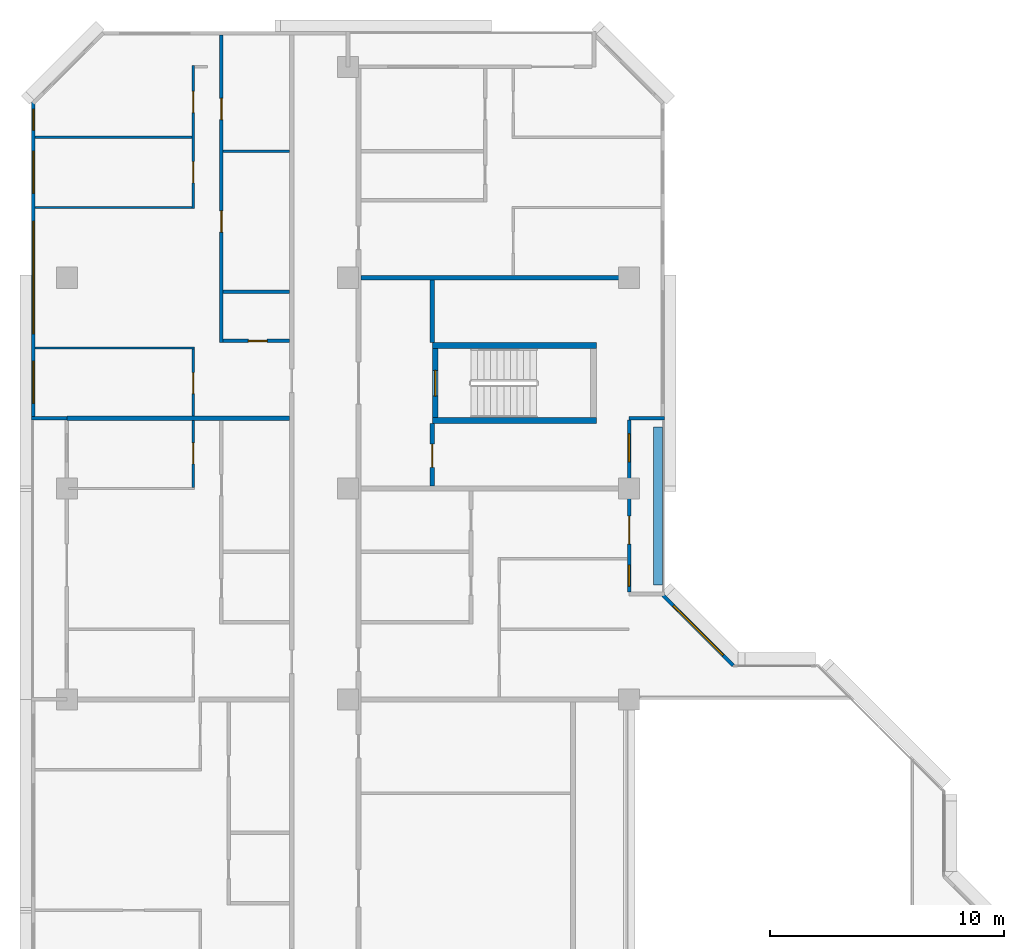
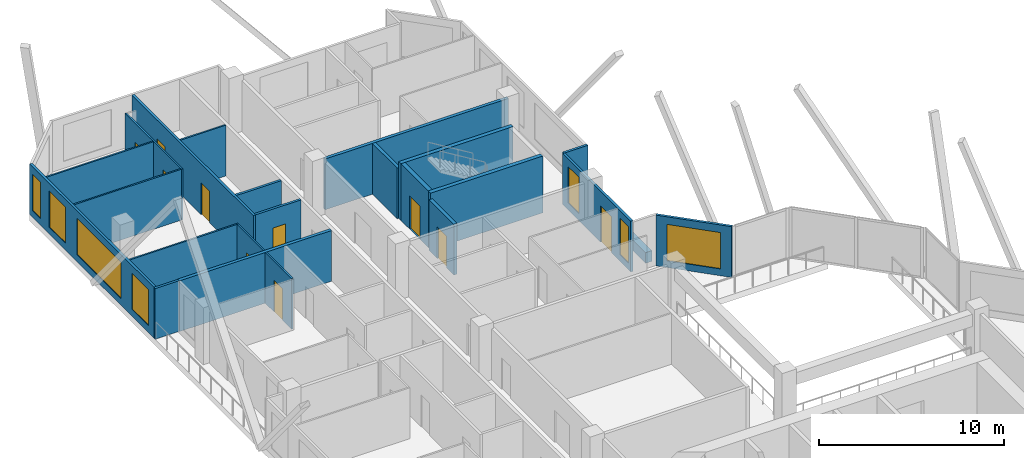
# One storey, part 10 of 15: 23 walls, 10 doors, 7 windows, 17 openings.
"""IFC4 building model written with IfcOpenShell, lengths in metres."""

from ifc_helpers import new_model, si_unit, direction, frame, frame_2d, origin, place, context, subcontext, project, spatial, rectangle, extrude, material, layer, layer_set, type_object, element, fill, save


model = new_model("IFC4")

# Units and contexts
model_context = context("Model", 3, precision=1e-05, world=origin(), true_north=direction((0.0, 1.0)))
body_context = subcontext(model_context, "Body", "Model", "MODEL_VIEW")
ifc_project = project(units=[si_unit("LENGTHUNIT", "METRE"), si_unit("AREAUNIT", "SQUARE_METRE"), si_unit("VOLUMEUNIT", "CUBIC_METRE"), si_unit("PLANEANGLEUNIT", "RADIAN"), si_unit("MASSUNIT", "GRAM", prefix="KILO")], contexts=[model_context])

# Site, building, storey
site_placement = place(None, origin())
site = spatial("IfcSite", under=ifc_project, at=site_placement, CompositionType="ELEMENT")
building_placement = place(site_placement, origin())
building = spatial("IfcBuilding", under=site, at=building_placement, Name="Chenar Terraces", CompositionType="ELEMENT")
storey_placement = place(building_placement, frame((0.0, 0.0, 194.89990234375)))
storey = spatial("IfcBuildingStorey", under=building, at=storey_placement, Name="L45", CompositionType="ELEMENT", Elevation=194.89990234375)

# Walls
ifc_material_1 = material(Name="Concrete C60/75", Category="concrete")
ifc_layer_1 = layer(ifc_material_1, 0.25)
ifc_layer_set_1 = layer_set([ifc_layer_1], Name="Concrete C60/75")
wall_type_1 = type_object("IfcWallType", Name="Core wall 250 Concrete C60/75", PredefinedType="SHEAR", material=ifc_layer_set_1)
for number, where, z_axis, x_axis, name in (
    (1, (15.60009765625, 47.89990234375, 0.0), (0.0, 0.0, 1.0), (1.0, 0.0, 0.0), "Core wall ST4_S L45"),
    (2, (15.60009765625, 51.10009765625, 0.0), (0.0, 0.0, 1.0), (1.0, 0.0, 0.0), "Core wall ST4_N L45"),
):
    element("IfcWall", number, at=place(storey_placement, frame(where, z_axis=z_axis, x_axis=x_axis)), inside=storey, type_object=wall_type_1, Name=name, PredefinedType="SHEAR", context=body_context, shape_type="SweptSolid", body=[
        extrude(rectangle(XDim=7.0, YDim=0.25, at=frame_2d((3.5, 0.0))), origin(), (0.0, 0.0, 1.0), 3.75),
    ])

# Wall, opening, door
wall_1_placement = place(storey_placement, frame((15.72509765625, 48.02490234375, 0.0), z_axis=(0.0, 0.0, 1.0), x_axis=(0.0, 1.0, 0.0)))
wall_1 = element("IfcWall", 3, at=wall_1_placement, inside=storey, type_object=wall_type_1, Name="Core wall ST4_W L45", PredefinedType="SHEAR", context=body_context, shape_type="SweptSolid", body=[
    extrude(rectangle(XDim=2.9501953125, YDim=0.25, at=frame_2d((1.47509765625, 0.0))), origin(), (0.0, 0.0, 1.0), 3.75),
])
opening_1_placement = place(wall_1_placement, frame((0.925048828125, 0.0, 0.0)))
opening_1 = element("IfcOpeningElement", 4, at=opening_1_placement, cuts=wall_1, Name="Opening DL45-C9", PredefinedType="OPENING", context=body_context, shape_type="SweptSolid", body=[
    extrude(rectangle(XDim=1.10009765625, YDim=2.199951171875, at=frame_2d((0.550048828125, 1.10009765625))), frame((0.0, 0.135009765625, 0.0), z_axis=(0.0, -1.0, 0.0), x_axis=(1.0, 0.0, 0.0)), (0.0, 0.0, 1.0), 0.27001953125),
])
ifc_material_2 = material(Name="Steel-framed fire-resisting door leaf", Category="steel")
door_type_1 = type_object("IfcDoorType", Name="Stair fire door FD60 1100 x 2200", OperationType="SINGLE_SWING_LEFT", PredefinedType="DOOR", material=ifc_material_2)
door_1_placement = place(opening_1_placement, frame((1.10009765625, 0.0, 0.0), z_axis=(0.0, 0.0, 1.0), x_axis=(-1.0, 0.0, 0.0)))
door_1 = element("IfcDoor", 5, at=door_1_placement, inside=storey, type_object=door_type_1, Name="Stair door DL45-C9", OperationType="SINGLE_SWING_RIGHT", OverallHeight=2.199951171875, OverallWidth=1.10009765625, PredefinedType="DOOR", context=body_context, shape_type="SweptSolid", body=[
    extrude(rectangle(XDim=1.10009765625, YDim=2.199951171875, at=frame_2d((0.550048828125, 1.10009765625))), frame((0.0, 0.02490234375, 0.0), z_axis=(0.0, -1.0, 0.0), x_axis=(1.0, 0.0, 0.0)), (0.0, 0.0, 1.0), 0.050048828125),
])
fill(opening_1, door_1)

ifc_material_3 = material(Name="Gypsum board on steel studs with fire boards", Category="steel")
ifc_layer_2 = layer(ifc_material_3, 0.199951171875)
ifc_layer_set_2 = layer_set([ifc_layer_2], Name="Gypsum board on steel studs with fire boards")
wall_type_2 = type_object("IfcWallType", Name="Corridor wall 200", PredefinedType="PARTITIONING", material=ifc_layer_set_2)
wall_2_placement = place(storey_placement, frame((15.60009765625, 45.10009765625, 0.0), z_axis=(0.0, 0.0, 1.0), x_axis=(0.0, 1.0, 0.0)))
wall_2 = element("IfcWall", 6, at=wall_2_placement, inside=storey, type_object=wall_type_2, Name="Partition L45-047", PredefinedType="PARTITIONING", context=body_context, shape_type="SweptSolid", body=[
    extrude(rectangle(XDim=2.6748046875, YDim=0.199951171875, at=frame_2d((1.33740234375, 0.0))), origin(), (0.0, 0.0, 1.0), 3.35009765625),
])
opening_2_placement = place(wall_2_placement, frame((0.800048828125, 0.0, 0.0)))
opening_2 = element("IfcOpeningElement", 7, at=opening_2_placement, cuts=wall_2, Name="Opening DL45-42", PredefinedType="OPENING", context=body_context, shape_type="SweptSolid", body=[
    extrude(rectangle(XDim=1.0, YDim=2.10009765625, at=frame_2d((0.5, 1.050048828125))), frame((0.0, 0.10986328125, 0.0), z_axis=(0.0, -1.0, 0.0), x_axis=(1.0, 0.0, 0.0)), (0.0, 0.0, 1.0), 0.219970703125),
])
ifc_material_4 = material(Name="Steel-framed fire-resisting door leaf", Category="steel")
door_type_2 = type_object("IfcDoorType", Name="Fire door FD60 1000 x 2100", OperationType="SINGLE_SWING_LEFT", PredefinedType="DOOR", material=ifc_material_4)
door_2_placement = place(opening_2_placement, frame((1.0, 0.0, 0.0), z_axis=(0.0, 0.0, 1.0), x_axis=(-1.0, 0.0, 0.0)))
door_2 = element("IfcDoor", 8, at=door_2_placement, inside=storey, type_object=door_type_2, Name="Door DL45-42", OperationType="SINGLE_SWING_RIGHT", OverallHeight=2.10009765625, OverallWidth=1.0, PredefinedType="DOOR", context=body_context, shape_type="SweptSolid", body=[
    extrude(rectangle(XDim=1.0, YDim=2.10009765625, at=frame_2d((0.5, 1.050048828125))), frame((0.0, 0.02490234375, 0.0), z_axis=(0.0, -1.0, 0.0), x_axis=(1.0, 0.0, 0.0)), (0.0, 0.0, 1.0), 0.050048828125),
])
fill(opening_2, door_2)

# Wall
wall_3_placement = place(storey_placement, frame((15.60009765625, 51.22509765625, 0.0), z_axis=(0.0, 0.0, 1.0), x_axis=(0.0, 1.0, 0.0)))
element("IfcWall", 9, at=wall_3_placement, inside=storey, type_object=wall_type_2, Name="Partition L45-048", PredefinedType="PARTITIONING", context=body_context, shape_type="SweptSolid", body=[
    extrude(rectangle(XDim=2.6748046875, YDim=0.199951171875, at=frame_2d((1.33740234375, 0.0))), origin(), (0.0, 0.0, 1.0), 3.35009765625),
])

# Wall, openings, windows
ifc_material_5 = material(Name="Aluminium framed glazing", Category="aluminium")
ifc_layer_3 = layer(ifc_material_5, 0.14990234375)
ifc_layer_set_3 = layer_set([ifc_layer_3], Name="Aluminium framed glazing")
wall_type_3 = type_object("IfcWallType", Name="Glazed flush facade wall 150", PredefinedType="SOLIDWALL", material=ifc_layer_set_3)
wall_4_placement = place(storey_placement, frame((-1.425048828125, 61.5, 0.0), z_axis=(0.0, 0.0, 1.0), x_axis=(0.0, -1.0, 0.0)))
wall_4 = element("IfcWall", 10, at=wall_4_placement, inside=storey, type_object=wall_type_3, Name="Glazed flush facade wall", PredefinedType="SOLIDWALL", context=body_context, shape_type="SweptSolid", body=[
    extrude(rectangle(XDim=13.425048828125, YDim=0.14990234375, at=frame_2d((6.71240234375, 0.0))), origin(), (0.0, 0.0, 1.0), 3.35009765625),
])
opening_3_placement = place(wall_4_placement, frame((0.300048828125, 0.0, 0.449951171875)))
opening_3 = element("IfcOpeningElement", 11, at=opening_3_placement, cuts=wall_4, Name="Opening W90x240", PredefinedType="OPENING", context=body_context, shape_type="SweptSolid", body=[
    extrude(rectangle(XDim=0.89990234375, YDim=2.39990234375, at=frame_2d((0.449951171875, 1.199951171875))), frame((0.0, 0.0849609375, 0.0), z_axis=(0.0, -1.0, 0.0), x_axis=(1.0, 0.0, 0.0)), (0.0, 0.0, 1.0), 0.169921875),
])
opening_4_placement = place(wall_4_placement, frame((2.10009765625, 0.0, 0.449951171875)))
opening_4 = element("IfcOpeningElement", 12, at=opening_4_placement, cuts=wall_4, Name="Opening W180x240", PredefinedType="OPENING", context=body_context, shape_type="SweptSolid", body=[
    extrude(rectangle(XDim=1.800048828125, YDim=2.39990234375, at=frame_2d((0.89990234375, 1.199951171875))), frame((0.0, 0.0849609375, 0.0), z_axis=(0.0, -1.0, 0.0), x_axis=(1.0, 0.0, 0.0)), (0.0, 0.0, 1.0), 0.169921875),
])
opening_5_placement = place(wall_4_placement, frame((5.10009765625, 0.0, 0.449951171875)))
opening_5 = element("IfcOpeningElement", 13, at=opening_5_placement, cuts=wall_4, Name="Opening W480x240", PredefinedType="OPENING", context=body_context, shape_type="SweptSolid", body=[
    extrude(rectangle(XDim=4.800048828125, YDim=2.39990234375, at=frame_2d((2.39990234375, 1.199951171875))), frame((0.0, 0.0849609375, 0.0), z_axis=(0.0, -1.0, 0.0), x_axis=(1.0, 0.0, 0.0)), (0.0, 0.0, 1.0), 0.169921875),
])
opening_6_placement = place(wall_4_placement, frame((11.0625, 0.0, 0.449951171875)))
opening_6 = element("IfcOpeningElement", 14, at=opening_6_placement, cuts=wall_4, Name="Opening W180x240", PredefinedType="OPENING", context=body_context, shape_type="SweptSolid", body=[
    extrude(rectangle(XDim=1.800048828125, YDim=2.39990234375, at=frame_2d((0.89990234375, 1.199951171875))), frame((0.0, 0.0849609375, 0.0), z_axis=(0.0, -1.0, 0.0), x_axis=(1.0, 0.0, 0.0)), (0.0, 0.0, 1.0), 0.169921875),
])
ifc_material_6 = material(Name="Low emissivity double glazing, aluminium frame", Category="aluminium")
window_type_1 = type_object("IfcWindowType", Name="Fixed light 1800 x 2400", PartitioningType="SINGLE_PANEL", PredefinedType="WINDOW", material=ifc_material_6)
window_1_placement = place(opening_4_placement, origin())
window_1 = element("IfcWindow", 15, at=window_1_placement, inside=storey, type_object=window_type_1, Name="Window", OverallHeight=2.39990234375, OverallWidth=1.800048828125, PartitioningType="SINGLE_PANEL", PredefinedType="WINDOW", context=body_context, shape_type="SweptSolid", body=[
    extrude(rectangle(XDim=1.800048828125, YDim=2.39990234375, at=frame_2d((0.89990234375, 1.199951171875))), frame((0.0, 0.030029296875, 0.0), z_axis=(0.0, -1.0, 0.0), x_axis=(1.0, 0.0, 0.0)), (0.0, 0.0, 1.0), 0.06005859375),
])
fill(opening_4, window_1)
window_2_placement = place(opening_6_placement, origin())
window_2 = element("IfcWindow", 16, at=window_2_placement, inside=storey, type_object=window_type_1, Name="Window", OverallHeight=2.39990234375, OverallWidth=1.800048828125, PartitioningType="SINGLE_PANEL", PredefinedType="WINDOW", context=body_context, shape_type="SweptSolid", body=[
    extrude(rectangle(XDim=1.800048828125, YDim=2.39990234375, at=frame_2d((0.89990234375, 1.199951171875))), frame((0.0, 0.030029296875, 0.0), z_axis=(0.0, -1.0, 0.0), x_axis=(1.0, 0.0, 0.0)), (0.0, 0.0, 1.0), 0.06005859375),
])
fill(opening_6, window_2)
ifc_material_7 = material(Name="Low emissivity double glazing, aluminium frame", Category="aluminium")
window_type_2 = type_object("IfcWindowType", Name="Fixed light 4800 x 2400", PartitioningType="SINGLE_PANEL", PredefinedType="WINDOW", material=ifc_material_7)
window_3_placement = place(opening_5_placement, origin())
window_3 = element("IfcWindow", 17, at=window_3_placement, inside=storey, type_object=window_type_2, Name="Window", OverallHeight=2.39990234375, OverallWidth=4.800048828125, PartitioningType="SINGLE_PANEL", PredefinedType="WINDOW", context=body_context, shape_type="SweptSolid", body=[
    extrude(rectangle(XDim=4.800048828125, YDim=2.39990234375, at=frame_2d((2.39990234375, 1.199951171875))), frame((0.0, 0.030029296875, 0.0), z_axis=(0.0, -1.0, 0.0), x_axis=(1.0, 0.0, 0.0)), (0.0, 0.0, 1.0), 0.06005859375),
])
fill(opening_5, window_3)
ifc_material_8 = material(Name="Low emissivity double glazing, aluminium frame", Category="aluminium")
window_type_3 = type_object("IfcWindowType", Name="Fixed light 900 x 2400", PartitioningType="SINGLE_PANEL", PredefinedType="WINDOW", material=ifc_material_8)
window_4_placement = place(opening_3_placement, origin())
window_4 = element("IfcWindow", 18, at=window_4_placement, inside=storey, type_object=window_type_3, Name="Window", OverallHeight=2.39990234375, OverallWidth=0.89990234375, PartitioningType="SINGLE_PANEL", PredefinedType="WINDOW", context=body_context, shape_type="SweptSolid", body=[
    extrude(rectangle(XDim=0.89990234375, YDim=2.39990234375, at=frame_2d((0.449951171875, 1.199951171875))), frame((0.0, 0.030029296875, 0.0), z_axis=(0.0, -1.0, 0.0), x_axis=(1.0, 0.0, 0.0)), (0.0, 0.0, 1.0), 0.06005859375),
])
fill(opening_3, window_4)

# Wall, openings, windows, door
ifc_material_9 = material(Name="Aluminium framed glazing", Category="aluminium")
ifc_layer_4 = layer(ifc_material_9, 0.14990234375)
ifc_layer_set_4 = layer_set([ifc_layer_4], Name="Aluminium framed glazing")
wall_type_4 = type_object("IfcWallType", Name="Glazed loggia back wall 150", PredefinedType="SOLIDWALL", material=ifc_layer_set_4)
wall_5_placement = place(storey_placement, frame((24.0, 40.574951171875, 0.0), z_axis=(0.0, 0.0, 1.0), x_axis=(0.0, 1.0, 0.0)))
wall_5 = element("IfcWall", 19, at=wall_5_placement, inside=storey, type_object=wall_type_4, Name="Glazed loggia back wall", PredefinedType="SOLIDWALL", context=body_context, shape_type="SweptSolid", body=[
    extrude(rectangle(XDim=7.35009765625, YDim=0.14990234375, at=frame_2d((3.675048828125, 0.0))), origin(), (0.0, 0.0, 1.0), 3.35009765625),
])
opening_7_placement = place(wall_5_placement, frame((0.262451171875, 0.0, 0.449951171875)))
opening_7 = element("IfcOpeningElement", 20, at=opening_7_placement, cuts=wall_5, Name="Opening W90x240", PredefinedType="OPENING", context=body_context, shape_type="SweptSolid", body=[
    extrude(rectangle(XDim=0.89990234375, YDim=2.39990234375, at=frame_2d((0.449951171875, 1.199951171875))), frame((0.0, 0.0849609375, 0.0), z_axis=(0.0, -1.0, 0.0), x_axis=(1.0, 0.0, 0.0)), (0.0, 0.0, 1.0), 0.169921875),
])
opening_8_placement = place(wall_5_placement, frame((2.050048828125, 0.0, 0.0)))
opening_8 = element("IfcOpeningElement", 21, at=opening_8_placement, cuts=wall_5, Name="Opening DL45-G1", PredefinedType="OPENING", context=body_context, shape_type="SweptSolid", body=[
    extrude(rectangle(XDim=1.199951171875, YDim=2.39990234375, at=frame_2d((0.60009765625, 1.199951171875))), frame((0.0, 0.0849609375, 0.0), z_axis=(0.0, -1.0, 0.0), x_axis=(1.0, 0.0, 0.0)), (0.0, 0.0, 1.0), 0.169921875),
])
opening_9_placement = place(wall_5_placement, frame((5.5625, 0.0, 0.449951171875)))
opening_9 = element("IfcOpeningElement", 22, at=opening_9_placement, cuts=wall_5, Name="Opening W120x240", PredefinedType="OPENING", context=body_context, shape_type="SweptSolid", body=[
    extrude(rectangle(XDim=1.199951171875, YDim=2.39990234375, at=frame_2d((0.60009765625, 1.199951171875))), frame((0.0, 0.0849609375, 0.0), z_axis=(0.0, -1.0, 0.0), x_axis=(1.0, 0.0, 0.0)), (0.0, 0.0, 1.0), 0.169921875),
])
ifc_material_10 = material(Name="Low emissivity double glazing, aluminium frame", Category="aluminium")
window_type_4 = type_object("IfcWindowType", Name="Fixed light 1200 x 2400", PartitioningType="SINGLE_PANEL", PredefinedType="WINDOW", material=ifc_material_10)
window_5_placement = place(opening_9_placement, origin())
window_5 = element("IfcWindow", 23, at=window_5_placement, inside=storey, type_object=window_type_4, Name="Window", OverallHeight=2.39990234375, OverallWidth=1.199951171875, PartitioningType="SINGLE_PANEL", PredefinedType="WINDOW", context=body_context, shape_type="SweptSolid", body=[
    extrude(rectangle(XDim=1.199951171875, YDim=2.39990234375, at=frame_2d((0.60009765625, 1.199951171875))), frame((0.0, 0.030029296875, 0.0), z_axis=(0.0, -1.0, 0.0), x_axis=(1.0, 0.0, 0.0)), (0.0, 0.0, 1.0), 0.06005859375),
])
fill(opening_9, window_5)
window_6_placement = place(opening_7_placement, origin())
window_6 = element("IfcWindow", 24, at=window_6_placement, inside=storey, type_object=window_type_3, Name="Window", OverallHeight=2.39990234375, OverallWidth=0.89990234375, PartitioningType="SINGLE_PANEL", PredefinedType="WINDOW", context=body_context, shape_type="SweptSolid", body=[
    extrude(rectangle(XDim=0.89990234375, YDim=2.39990234375, at=frame_2d((0.449951171875, 1.199951171875))), frame((0.0, 0.030029296875, 0.0), z_axis=(0.0, -1.0, 0.0), x_axis=(1.0, 0.0, 0.0)), (0.0, 0.0, 1.0), 0.06005859375),
])
fill(opening_7, window_6)
ifc_material_11 = material(Name="Low emissivity double glazing, aluminium frame", Category="aluminium")
door_type_3 = type_object("IfcDoorType", Name="Loggia glazed double door 1200 x 2400", OperationType="DOUBLE_DOOR_SINGLE_SWING", PredefinedType="DOOR", material=ifc_material_11)
door_3_placement = place(opening_8_placement, frame((1.199951171875, 0.0, 0.0), z_axis=(0.0, 0.0, 1.0), x_axis=(-1.0, 0.0, 0.0)))
door_3 = element("IfcDoor", 25, at=door_3_placement, inside=storey, type_object=door_type_3, Name="Loggia glazed door", OperationType="DOUBLE_DOOR_SINGLE_SWING", OverallHeight=2.39990234375, OverallWidth=1.199951171875, PredefinedType="DOOR", context=body_context, shape_type="SweptSolid", body=[
    extrude(rectangle(XDim=1.199951171875, YDim=2.39990234375, at=frame_2d((0.60009765625, 1.199951171875))), frame((0.0, 0.02490234375, 0.0), z_axis=(0.0, -1.0, 0.0), x_axis=(1.0, 0.0, 0.0)), (0.0, 0.0, 1.0), 0.050048828125),
])
fill(opening_8, door_3)

# Walls
ifc_material_12 = material(Name="Gypsum board on steel studs", Category="steel")
ifc_layer_5 = layer(ifc_material_12, 0.10009765625)
ifc_layer_set_5 = layer_set([ifc_layer_5], Name="Gypsum board on steel studs")
wall_type_5 = type_object("IfcWallType", Name="Gypsum partition 100", PredefinedType="PARTITIONING", material=ifc_layer_set_5)
wall_6_placement = place(storey_placement, frame((-1.35107421875, 60.0, 0.0), z_axis=(0.0, 0.0, 1.0), x_axis=(1.0, 0.0, 0.0)))
element("IfcWall", 26, at=wall_6_placement, inside=storey, type_object=wall_type_5, Name="Partition L45-001", PredefinedType="PARTITIONING", context=body_context, shape_type="SweptSolid", body=[
    extrude(rectangle(XDim=6.701171875, YDim=0.10009765625, at=frame_2d((3.3505859375, 0.0))), origin(), (0.0, 0.0, 1.0), 3.35009765625),
])
wall_7_placement = place(storey_placement, frame((-1.35009765625, 51.0, 0.0), z_axis=(0.0, 0.0, 1.0), x_axis=(1.0, 0.0, 0.0)))
element("IfcWall", 27, at=wall_7_placement, inside=storey, type_object=wall_type_5, Name="Partition L45-006", PredefinedType="PARTITIONING", context=body_context, shape_type="SweptSolid", body=[
    extrude(rectangle(XDim=6.800048828125, YDim=0.10009765625, at=frame_2d((3.39990234375, 0.0))), origin(), (0.0, 0.0, 1.0), 3.35009765625),
])
wall_8_placement = place(storey_placement, frame((-1.35009765625, 57.0, 0.0), z_axis=(0.0, 0.0, 1.0), x_axis=(1.0, 0.0, 0.0)))
element("IfcWall", 28, at=wall_8_placement, inside=storey, type_object=wall_type_5, Name="Partition L45-007", PredefinedType="PARTITIONING", context=body_context, shape_type="SweptSolid", body=[
    extrude(rectangle(XDim=6.7001953125, YDim=0.10009765625, at=frame_2d((3.35009765625, 0.0))), origin(), (0.0, 0.0, 1.0), 3.35009765625),
])

# Wall, opening, door
wall_9_placement = place(storey_placement, frame((5.39990234375, 45.050048828125, 0.0), z_axis=(0.0, 0.0, 1.0), x_axis=(0.0, 1.0, 0.0)))
wall_9 = element("IfcWall", 29, at=wall_9_placement, inside=storey, type_object=wall_type_5, Name="Partition L45-014", PredefinedType="PARTITIONING", context=body_context, shape_type="SweptSolid", body=[
    extrude(rectangle(XDim=2.849853515625, YDim=0.10009765625, at=frame_2d((1.4248046875, 0.0))), origin(), (0.0, 0.0, 1.0), 3.35009765625),
])
opening_10_placement = place(wall_9_placement, frame((1.0, 0.0, 0.0)))
opening_10 = element("IfcOpeningElement", 30, at=opening_10_placement, cuts=wall_9, Name="Opening DL45-27", PredefinedType="OPENING", context=body_context, shape_type="SweptSolid", body=[
    extrude(rectangle(XDim=0.89990234375, YDim=2.10009765625, at=frame_2d((0.449951171875, 1.050048828125))), frame((0.0, 0.06005859375, 0.0), z_axis=(0.0, -1.0, 0.0), x_axis=(1.0, 0.0, 0.0)), (0.0, 0.0, 1.0), 0.1201171875),
])
ifc_material_13 = material(Name="Veneered timber door leaf", Category="wood")
door_type_4 = type_object("IfcDoorType", Name="Door 900 x 2100", OperationType="SINGLE_SWING_LEFT", PredefinedType="DOOR", material=ifc_material_13)
door_4_placement = place(opening_10_placement, origin())
door_4 = element("IfcDoor", 31, at=door_4_placement, inside=storey, type_object=door_type_4, Name="Door DL45-27", OperationType="SINGLE_SWING_RIGHT", OverallHeight=2.10009765625, OverallWidth=0.89990234375, PredefinedType="DOOR", context=body_context, shape_type="SweptSolid", body=[
    extrude(rectangle(XDim=0.89990234375, YDim=2.10009765625, at=frame_2d((0.449951171875, 1.050048828125))), frame((0.0, 0.02490234375, 0.0), z_axis=(0.0, -1.0, 0.0), x_axis=(1.0, 0.0, 0.0)), (0.0, 0.0, 1.0), 0.050048828125),
])
fill(opening_10, door_4)

wall_10_placement = place(storey_placement, frame((5.39990234375, 48.10009765625, 0.0), z_axis=(0.0, 0.0, 1.0), x_axis=(0.0, 1.0, 0.0)))
wall_10 = element("IfcWall", 32, at=wall_10_placement, inside=storey, type_object=wall_type_5, Name="Partition L45-015", PredefinedType="PARTITIONING", context=body_context, shape_type="SweptSolid", body=[
    extrude(rectangle(XDim=2.849853515625, YDim=0.10009765625, at=frame_2d((1.4248046875, 0.0))), origin(), (0.0, 0.0, 1.0), 3.35009765625),
])
opening_11_placement = place(wall_10_placement, frame((0.949951171875, 0.0, 0.0)))
opening_11 = element("IfcOpeningElement", 33, at=opening_11_placement, cuts=wall_10, Name="Opening DL45-31", PredefinedType="OPENING", context=body_context, shape_type="SweptSolid", body=[
    extrude(rectangle(XDim=0.89990234375, YDim=2.10009765625, at=frame_2d((0.449951171875, 1.050048828125))), frame((0.0, 0.06005859375, 0.0), z_axis=(0.0, -1.0, 0.0), x_axis=(1.0, 0.0, 0.0)), (0.0, 0.0, 1.0), 0.1201171875),
])
door_5_placement = place(opening_11_placement, origin())
door_5 = element("IfcDoor", 34, at=door_5_placement, inside=storey, type_object=door_type_4, Name="Door DL45-31", OperationType="SINGLE_SWING_RIGHT", OverallHeight=2.10009765625, OverallWidth=0.89990234375, PredefinedType="DOOR", context=body_context, shape_type="SweptSolid", body=[
    extrude(rectangle(XDim=0.89990234375, YDim=2.10009765625, at=frame_2d((0.449951171875, 1.050048828125))), frame((0.0, 0.02490234375, 0.0), z_axis=(0.0, -1.0, 0.0), x_axis=(1.0, 0.0, 0.0)), (0.0, 0.0, 1.0), 0.050048828125),
])
fill(opening_11, door_5)

# Wall, openings, doors
wall_11_placement = place(storey_placement, frame((5.39990234375, 56.949951171875, 0.0), z_axis=(0.0, 0.0, 1.0), x_axis=(0.0, 1.0, 0.0)))
wall_11 = element("IfcWall", 35, at=wall_11_placement, inside=storey, type_object=wall_type_5, Name="Partition L45-016", PredefinedType="PARTITIONING", context=body_context, shape_type="SweptSolid", body=[
    extrude(rectangle(XDim=6.10009765625, YDim=0.10009765625, at=frame_2d((3.050048828125, 0.0))), origin(), (0.0, 0.0, 1.0), 3.35009765625),
])
opening_12_placement = place(wall_11_placement, frame((1.10009765625, 0.0, 0.0)))
opening_12 = element("IfcOpeningElement", 36, at=opening_12_placement, cuts=wall_11, Name="Opening DL45-32", PredefinedType="OPENING", context=body_context, shape_type="SweptSolid", body=[
    extrude(rectangle(XDim=0.89990234375, YDim=2.10009765625, at=frame_2d((0.449951171875, 1.050048828125))), frame((0.0, 0.06005859375, 0.0), z_axis=(0.0, -1.0, 0.0), x_axis=(1.0, 0.0, 0.0)), (0.0, 0.0, 1.0), 0.1201171875),
])
opening_13_placement = place(wall_11_placement, frame((4.10009765625, 0.0, 0.0)))
opening_13 = element("IfcOpeningElement", 37, at=opening_13_placement, cuts=wall_11, Name="Opening DL45-33", PredefinedType="OPENING", context=body_context, shape_type="SweptSolid", body=[
    extrude(rectangle(XDim=0.89990234375, YDim=2.10009765625, at=frame_2d((0.449951171875, 1.050048828125))), frame((0.0, 0.06005859375, 0.0), z_axis=(0.0, -1.0, 0.0), x_axis=(1.0, 0.0, 0.0)), (0.0, 0.0, 1.0), 0.1201171875),
])
door_6_placement = place(opening_12_placement, origin())
door_6 = element("IfcDoor", 38, at=door_6_placement, inside=storey, type_object=door_type_4, Name="Door DL45-32", OperationType="SINGLE_SWING_LEFT", OverallHeight=2.10009765625, OverallWidth=0.89990234375, PredefinedType="DOOR", context=body_context, shape_type="SweptSolid", body=[
    extrude(rectangle(XDim=0.89990234375, YDim=2.10009765625, at=frame_2d((0.449951171875, 1.050048828125))), frame((0.0, 0.02490234375, 0.0), z_axis=(0.0, -1.0, 0.0), x_axis=(1.0, 0.0, 0.0)), (0.0, 0.0, 1.0), 0.050048828125),
])
fill(opening_12, door_6)
door_7_placement = place(opening_13_placement, origin())
door_7 = element("IfcDoor", 39, at=door_7_placement, inside=storey, type_object=door_type_4, Name="Door DL45-33", OperationType="SINGLE_SWING_LEFT", OverallHeight=2.10009765625, OverallWidth=0.89990234375, PredefinedType="DOOR", context=body_context, shape_type="SweptSolid", body=[
    extrude(rectangle(XDim=0.89990234375, YDim=2.10009765625, at=frame_2d((0.449951171875, 1.050048828125))), frame((0.0, 0.02490234375, 0.0), z_axis=(0.0, -1.0, 0.0), x_axis=(1.0, 0.0, 0.0)), (0.0, 0.0, 1.0), 0.050048828125),
])
fill(opening_13, door_7)

# Walls
wall_12_placement = place(storey_placement, frame((6.675048828125, 59.39990234375, 0.0), z_axis=(0.0, 0.0, 1.0), x_axis=(1.0, 0.0, 0.0)))
element("IfcWall", 40, at=wall_12_placement, inside=storey, type_object=wall_type_5, Name="Partition L45-027", PredefinedType="PARTITIONING", context=body_context, shape_type="SweptSolid", body=[
    extrude(rectangle(XDim=2.824951171875, YDim=0.10009765625, at=frame_2d((1.41259765625, 0.0))), origin(), (0.0, 0.0, 1.0), 3.35009765625),
])
ifc_material_14 = material(Name="Terracotta cladding on insulated backing", Category="masonry")
ifc_layer_6 = layer(ifc_material_14, 0.14990234375)
ifc_layer_set_6 = layer_set([ifc_layer_6], Name="Terracotta cladding on insulated backing")
wall_type_6 = type_object("IfcWallType", Name="Loggia return wall 150", PredefinedType="SOLIDWALL", material=ifc_layer_set_6)
for number, where, z_axis, x_axis, name in (
    (41, (25.5, 48.0, 0.0), (0.0, 0.0, 1.0), (-1.0, 0.0, 0.0), "Loggia return wall"),
    (42, (-1.5, 48.0, 0.0), (0.0, 0.0, 1.0), (1.0, 0.0, 0.0), "Loggia return wall"),
):
    element("IfcWall", number, at=place(storey_placement, frame(where, z_axis=z_axis, x_axis=x_axis)), inside=storey, type_object=wall_type_6, Name=name, PredefinedType="SOLIDWALL", context=body_context, shape_type="SweptSolid", body=[
        extrude(rectangle(XDim=1.5, YDim=0.14990234375, at=frame_2d((0.75, 0.0))), origin(), (0.0, 0.0, 1.0), 3.35009765625),
    ])

# Wall, opening, window
ifc_material_15 = material(Name="Terracotta cladding on insulated backing", Category="masonry")
ifc_layer_7 = layer(ifc_material_15, 0.14990234375)
ifc_layer_set_7 = layer_set([ifc_layer_7], Name="Terracotta cladding on insulated backing")
wall_type_7 = type_object("IfcWallType", Name="Terracotta rainscreen wall 150", PredefinedType="SOLIDWALL", material=ifc_layer_set_7)
wall_13_placement = place(storey_placement, frame((28.447021484375, 37.447021484375, 0.0), z_axis=(0.0, 0.0, 1.0), x_axis=(-0.707106781187, 0.707106781187, 0.0)))
wall_13 = element("IfcWall", 43, at=wall_13_placement, inside=storey, type_object=wall_type_7, Name="Terracotta rainscreen wall", PredefinedType="SOLIDWALL", context=body_context, shape_type="SweptSolid", body=[
    extrude(rectangle(XDim=4.24267578125, YDim=0.14990234375, at=frame_2d((2.121337890625, 0.0))), origin(), (0.0, 0.0, 1.0), 3.35009765625),
])
opening_14_placement = place(wall_13_placement, frame((0.621337890625, 0.0, 0.449951171875)))
opening_14 = element("IfcOpeningElement", 44, at=opening_14_placement, cuts=wall_13, Name="Opening W300x240", PredefinedType="OPENING", context=body_context, shape_type="SweptSolid", body=[
    extrude(rectangle(XDim=3.0, YDim=2.39990234375, at=frame_2d((1.5, 1.199951171875))), frame((0.0, 0.0849609375, 0.0), z_axis=(0.0, -1.0, 0.0), x_axis=(1.0, 0.0, 0.0)), (0.0, 0.0, 1.0), 0.169921875),
])
ifc_material_16 = material(Name="Low emissivity double glazing, aluminium frame", Category="aluminium")
window_type_5 = type_object("IfcWindowType", Name="Fixed light 3000 x 2400", PartitioningType="SINGLE_PANEL", PredefinedType="WINDOW", material=ifc_material_16)
window_7_placement = place(opening_14_placement, origin())
window_7 = element("IfcWindow", 45, at=window_7_placement, inside=storey, type_object=window_type_5, Name="Window", OverallHeight=2.39990234375, OverallWidth=3.0, PartitioningType="SINGLE_PANEL", PredefinedType="WINDOW", context=body_context, shape_type="SweptSolid", body=[
    extrude(rectangle(XDim=3.0, YDim=2.39990234375, at=frame_2d((1.5, 1.199951171875))), frame((0.0, 0.030029296875, 0.0), z_axis=(0.0, -1.0, 0.0), x_axis=(1.0, 0.0, 0.0)), (0.0, 0.0, 1.0), 0.06005859375),
])
fill(opening_14, window_7)

# Walls
ifc_material_17 = material(Name="Twin gypsum board on steel studs with mineral wool", Category="steel")
ifc_layer_8 = layer(ifc_material_17, 0.199951171875)
ifc_layer_set_8 = layer_set([ifc_layer_8], Name="Twin gypsum board on steel studs with mineral wool")
wall_type_8 = type_object("IfcWallType", Name="Unit demising wall 200", PredefinedType="PARTITIONING", material=ifc_layer_set_8)
wall_14_placement = place(storey_placement, frame((0.0, 48.0, 0.0), z_axis=(0.0, 0.0, 1.0), x_axis=(1.0, 0.0, 0.0)))
element("IfcWall", 46, at=wall_14_placement, inside=storey, type_object=wall_type_8, Name="Partition L45-005", PredefinedType="PARTITIONING", context=body_context, shape_type="SweptSolid", body=[
    extrude(rectangle(XDim=9.5, YDim=0.199951171875, at=frame_2d((4.75, 0.0))), origin(), (0.0, 0.0, 1.0), 3.35009765625),
])
wall_15_placement = place(storey_placement, frame((12.550048828125, 54.0, 0.0), z_axis=(0.0, 0.0, 1.0), x_axis=(1.0, 0.0, 0.0)))
element("IfcWall", 47, at=wall_15_placement, inside=storey, type_object=wall_type_8, Name="Partition L45-043", PredefinedType="PARTITIONING", context=body_context, shape_type="SweptSolid", body=[
    extrude(rectangle(XDim=11.449951171875, YDim=0.199951171875, at=frame_2d((5.72509765625, 0.0))), origin(), (0.0, 0.0, 1.0), 3.35009765625),
])
ifc_material_18 = material(Name="GRP planter trough")
ifc_layer_9 = layer(ifc_material_18, 0.39990234375)
ifc_layer_set_9 = layer_set([ifc_layer_9], Name="GRP planter trough")
wall_type_9 = type_object("IfcWallType", Name="Vertical greenery planter 400", PredefinedType="SOLIDWALL", material=ifc_layer_set_9)
wall_16_placement = place(storey_placement, frame((25.22900390625, 40.875, 0.0), z_axis=(0.0, 0.0, 1.0), x_axis=(0.0, 1.0, 0.0)))
element("IfcWall", 48, at=wall_16_placement, inside=storey, type_object=wall_type_9, Name="Vertical greenery planter", PredefinedType="SOLIDWALL", context=body_context, shape_type="SweptSolid", body=[
    extrude(rectangle(XDim=6.75, YDim=0.39990234375, at=frame_2d((3.375, 0.0))), origin(), (0.0, 0.0, 1.0), 0.7001953125),
])

# Wall, openings, doors
ifc_material_19 = material(Name="Moisture-resistant gypsum board on steel studs", Category="steel")
ifc_layer_10 = layer(ifc_material_19, 0.14990234375)
ifc_layer_set_10 = layer_set([ifc_layer_10], Name="Moisture-resistant gypsum board on steel studs")
wall_type_10 = type_object("IfcWallType", Name="Wet-room partition 150", PredefinedType="PARTITIONING", material=ifc_layer_set_10)
wall_17_placement = place(storey_placement, frame((6.60009765625, 51.22509765625, 0.0), z_axis=(0.0, 0.0, 1.0), x_axis=(0.0, 1.0, 0.0)))
wall_17 = element("IfcWall", 49, at=wall_17_placement, inside=storey, type_object=wall_type_10, Name="Partition L45-022", PredefinedType="PARTITIONING", context=body_context, shape_type="SweptSolid", body=[
    extrude(rectangle(XDim=13.125, YDim=0.14990234375, at=frame_2d((6.5625, 0.0))), origin(), (0.0, 0.0, 1.0), 3.35009765625),
])
opening_15_placement = place(wall_17_placement, frame((4.72509765625, 0.0, 0.0)))
opening_15 = element("IfcOpeningElement", 50, at=opening_15_placement, cuts=wall_17, Name="Opening DL45-34", PredefinedType="OPENING", context=body_context, shape_type="SweptSolid", body=[
    extrude(rectangle(XDim=0.89990234375, YDim=2.10009765625, at=frame_2d((0.449951171875, 1.050048828125))), frame((0.0, 0.0849609375, 0.0), z_axis=(0.0, -1.0, 0.0), x_axis=(1.0, 0.0, 0.0)), (0.0, 0.0, 1.0), 0.169921875),
])
opening_16_placement = place(wall_17_placement, frame((9.52490234375, 0.0, 0.0)))
opening_16 = element("IfcOpeningElement", 51, at=opening_16_placement, cuts=wall_17, Name="Opening DL45-36", PredefinedType="OPENING", context=body_context, shape_type="SweptSolid", body=[
    extrude(rectangle(XDim=0.89990234375, YDim=2.10009765625, at=frame_2d((0.449951171875, 1.050048828125))), frame((0.0, 0.0849609375, 0.0), z_axis=(0.0, -1.0, 0.0), x_axis=(1.0, 0.0, 0.0)), (0.0, 0.0, 1.0), 0.169921875),
])
door_8_placement = place(opening_15_placement, frame((0.89990234375, 0.0, 0.0), z_axis=(0.0, 0.0, 1.0), x_axis=(-1.0, 0.0, 0.0)))
door_8 = element("IfcDoor", 52, at=door_8_placement, inside=storey, type_object=door_type_4, Name="Door DL45-34", OperationType="SINGLE_SWING_RIGHT", OverallHeight=2.10009765625, OverallWidth=0.89990234375, PredefinedType="DOOR", context=body_context, shape_type="SweptSolid", body=[
    extrude(rectangle(XDim=0.89990234375, YDim=2.10009765625, at=frame_2d((0.449951171875, 1.050048828125))), frame((0.0, 0.02490234375, 0.0), z_axis=(0.0, -1.0, 0.0), x_axis=(1.0, 0.0, 0.0)), (0.0, 0.0, 1.0), 0.050048828125),
])
fill(opening_15, door_8)
door_9_placement = place(opening_16_placement, frame((0.89990234375, 0.0, 0.0), z_axis=(0.0, 0.0, 1.0), x_axis=(-1.0, 0.0, 0.0)))
door_9 = element("IfcDoor", 53, at=door_9_placement, inside=storey, type_object=door_type_4, Name="Door DL45-36", OperationType="SINGLE_SWING_RIGHT", OverallHeight=2.10009765625, OverallWidth=0.89990234375, PredefinedType="DOOR", context=body_context, shape_type="SweptSolid", body=[
    extrude(rectangle(XDim=0.89990234375, YDim=2.10009765625, at=frame_2d((0.449951171875, 1.050048828125))), frame((0.0, 0.02490234375, 0.0), z_axis=(0.0, -1.0, 0.0), x_axis=(1.0, 0.0, 0.0)), (0.0, 0.0, 1.0), 0.050048828125),
])
fill(opening_16, door_9)

# Wall, opening, door
wall_18_placement = place(storey_placement, frame((6.675048828125, 51.300048828125, 0.0), z_axis=(0.0, 0.0, 1.0), x_axis=(1.0, 0.0, 0.0)))
wall_18 = element("IfcWall", 54, at=wall_18_placement, inside=storey, type_object=wall_type_10, Name="Partition L45-025", PredefinedType="PARTITIONING", context=body_context, shape_type="SweptSolid", body=[
    extrude(rectangle(XDim=2.824951171875, YDim=0.14990234375, at=frame_2d((1.41259765625, 0.0))), origin(), (0.0, 0.0, 1.0), 3.35009765625),
])
opening_17_placement = place(wall_18_placement, frame((1.074951171875, 0.0, 0.0)))
opening_17 = element("IfcOpeningElement", 55, at=opening_17_placement, cuts=wall_18, Name="Opening DL45-30", PredefinedType="OPENING", context=body_context, shape_type="SweptSolid", body=[
    extrude(rectangle(XDim=0.800048828125, YDim=2.10009765625, at=frame_2d((0.39990234375, 1.050048828125))), frame((0.0, 0.0849609375, 0.0), z_axis=(0.0, -1.0, 0.0), x_axis=(1.0, 0.0, 0.0)), (0.0, 0.0, 1.0), 0.169921875),
])
ifc_material_20 = material(Name="Veneered timber door leaf", Category="wood")
door_type_5 = type_object("IfcDoorType", Name="Door 800 x 2100", OperationType="SINGLE_SWING_LEFT", PredefinedType="DOOR", material=ifc_material_20)
door_10_placement = place(opening_17_placement, origin())
door_10 = element("IfcDoor", 56, at=door_10_placement, inside=storey, type_object=door_type_5, Name="Door DL45-30", OperationType="SINGLE_SWING_RIGHT", OverallHeight=2.10009765625, OverallWidth=0.800048828125, PredefinedType="DOOR", context=body_context, shape_type="SweptSolid", body=[
    extrude(rectangle(XDim=0.800048828125, YDim=2.10009765625, at=frame_2d((0.39990234375, 1.050048828125))), frame((0.0, 0.02490234375, 0.0), z_axis=(0.0, -1.0, 0.0), x_axis=(1.0, 0.0, 0.0)), (0.0, 0.0, 1.0), 0.050048828125),
])
fill(opening_17, door_10)

# Wall
wall_19_placement = place(storey_placement, frame((6.675048828125, 53.39990234375, 0.0), z_axis=(0.0, 0.0, 1.0), x_axis=(1.0, 0.0, 0.0)))
element("IfcWall", 57, at=wall_19_placement, inside=storey, type_object=wall_type_10, Name="Partition L45-026", PredefinedType="PARTITIONING", context=body_context, shape_type="SweptSolid", body=[
    extrude(rectangle(XDim=2.824951171875, YDim=0.14990234375, at=frame_2d((1.41259765625, 0.0))), origin(), (0.0, 0.0, 1.0), 3.35009765625),
])

save(model, "model.ifc")
